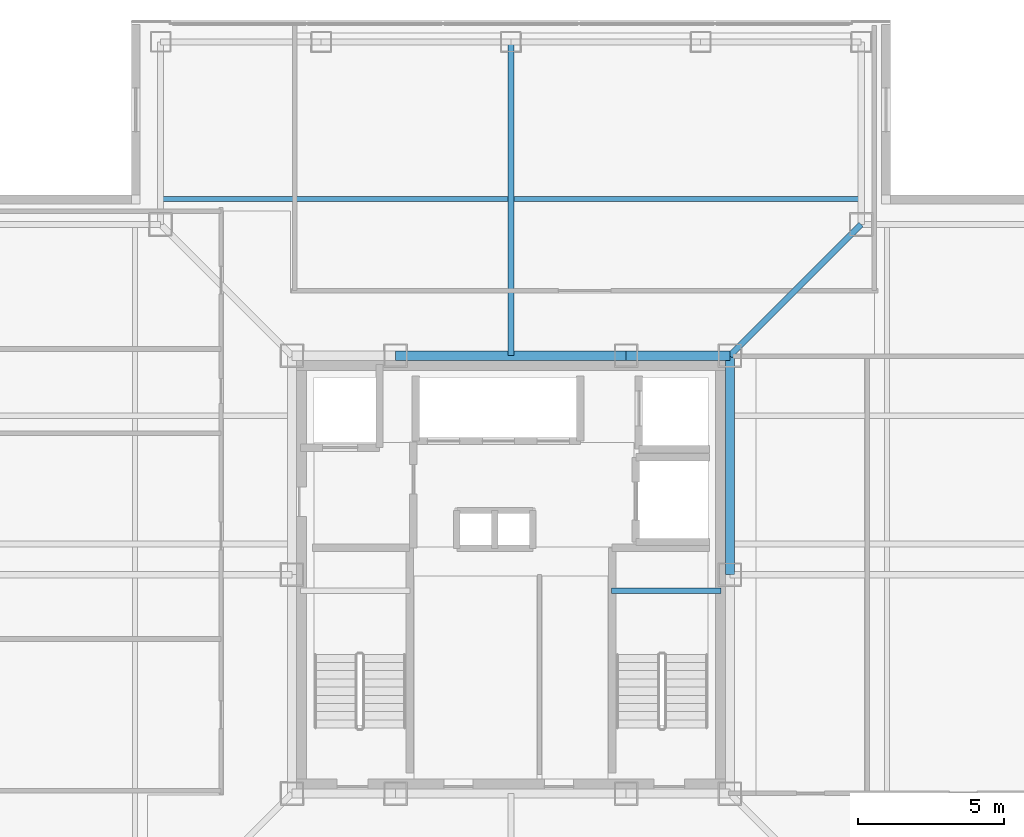
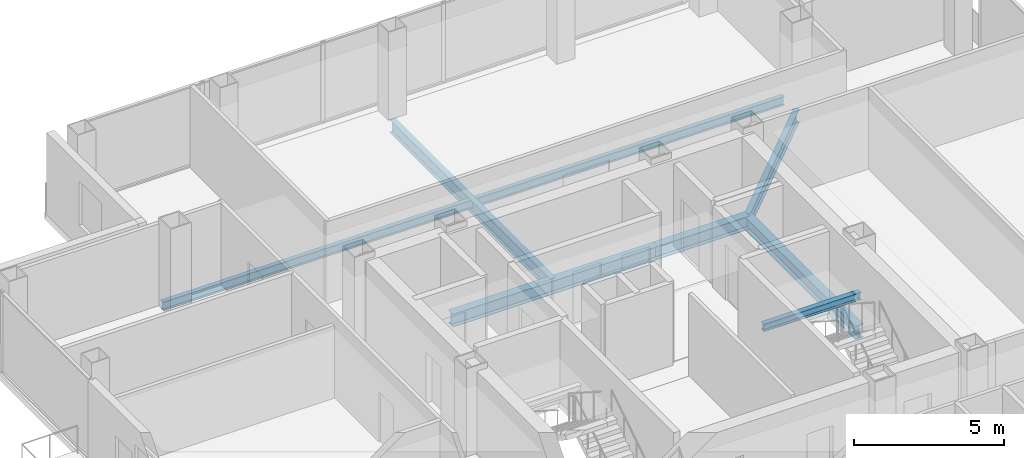
# One storey, part 5 of 13: 7 beams.
"""IFC4 building model written with IfcOpenShell, lengths in metres."""

from ifc_helpers import new_model, si_unit, direction, frame, origin, origin_2d, place, context, subcontext, project, spatial, i_section, extrude, material, material_profile, profile_set, type_object, element, save


model = new_model("IFC4")

# Units and contexts
model_context = context("Model", 3, precision=1e-05, world=origin(), true_north=direction((0.0, 1.0)))
body_context = subcontext(model_context, "Body", "Model", "MODEL_VIEW")
ifc_project = project(units=[si_unit("LENGTHUNIT", "METRE"), si_unit("AREAUNIT", "SQUARE_METRE"), si_unit("VOLUMEUNIT", "CUBIC_METRE"), si_unit("PLANEANGLEUNIT", "RADIAN"), si_unit("MASSUNIT", "GRAM", prefix="KILO")], contexts=[model_context])

# Site, building, storey
site_placement = place(None, origin())
site = spatial("IfcSite", under=ifc_project, at=site_placement, CompositionType="ELEMENT")
building_placement = place(site_placement, origin())
building = spatial("IfcBuilding", under=site, at=building_placement, Name="Trevonay Congress Spire", CompositionType="ELEMENT")
storey_placement = place(building_placement, frame((0.0, 0.0, 286.39990234375)))
storey = spatial("IfcBuildingStorey", under=building, at=storey_placement, Name="L75", CompositionType="ELEMENT", Elevation=286.39990234375)

# Beams
ifc_material = material(Name="Steel ASTM A572 Grade 50", Category="steel")
ifc_material_profile_1 = material_profile(ifc_material, i_section(OverallWidth=0.2119140625, OverallDepth=0.5439453125, WebThickness=0.01318359375, FlangeThickness=0.021240234375, FilletRadius=0.014892578125, at=origin_2d()), Name="W530x123")
ifc_profile_set_1 = profile_set([ifc_material_profile_1], Name="Steel ASTM A572 Grade 50")
beam_type_1 = type_object("IfcBeamType", Name="BM-GIRD-W530X123", PredefinedType="BEAM", material=ifc_profile_set_1)
beam_1_placement = place(storey_placement, frame((7.5, 7.5, -0.511962890625), z_axis=(0.707106781187, 0.707106781187, 0.0), x_axis=(-0.707106781187, 0.707106781187, 0.0)))
element("IfcBeam", 1, at=beam_1_placement, inside=storey, type_object=beam_type_1, Name="L75 structural beam BM-L75-CDNE", PredefinedType="BEAM", context=body_context, shape_type="SweptSolid", body=[
    extrude(i_section(OverallWidth=0.2119140625, OverallDepth=0.5439453125, WebThickness=0.01318359375, FlangeThickness=0.021240234375, FilletRadius=0.014892578125, at=origin_2d()), origin(), (0.0, 0.0, 1.0), 6.364013671875),
])
beam_2_placement = place(storey_placement, frame((0.0, 7.5, -0.511962890625), z_axis=(0.0, 1.0, 0.0), x_axis=(-1.0, 0.0, 0.0)))
element("IfcBeam", 2, at=beam_2_placement, inside=storey, type_object=beam_type_1, Name="L75 structural beam BM-L75-GC-N", PredefinedType="BEAM", context=body_context, shape_type="SweptSolid", body=[
    extrude(i_section(OverallWidth=0.2119140625, OverallDepth=0.5439453125, WebThickness=0.01318359375, FlangeThickness=0.021240234375, FilletRadius=0.014892578125, at=origin_2d()), origin(), (0.0, 0.0, 1.0), 10.75),
])
ifc_material_profile_2 = material_profile(ifc_material, i_section(OverallWidth=0.31201171875, OverallDepth=0.54296875, WebThickness=0.0126953125, FlangeThickness=0.020263671875, FilletRadius=0.014892578125, at=origin_2d()), Name="W530x150")
ifc_profile_set_2 = profile_set([ifc_material_profile_2], Name="Steel ASTM A572 Grade 50")
beam_type_2 = type_object("IfcBeamType", Name="BM-GIRD-W530X150", PredefinedType="BEAM", material=ifc_profile_set_2)
beam_3_placement = place(storey_placement, frame((-3.949951171875, 7.5, -0.511474609375), z_axis=(1.0, 0.0, 0.0), x_axis=(0.0, 1.0, 0.0)))
element("IfcBeam", 3, at=beam_3_placement, inside=storey, type_object=beam_type_2, Name="L75 structural beam BM-L75-CR-N2", PredefinedType="BEAM", context=body_context, shape_type="SweptSolid", body=[
    extrude(i_section(OverallWidth=0.31201171875, OverallDepth=0.54296875, WebThickness=0.0126953125, FlangeThickness=0.020263671875, FilletRadius=0.014892578125, at=origin_2d()), origin(), (0.0, 0.0, 1.0), 7.89990234375),
])
beam_4_placement = place(storey_placement, frame((3.949951171875, 7.5, -0.511474609375), z_axis=(1.0, 0.0, 0.0), x_axis=(0.0, 1.0, 0.0)))
element("IfcBeam", 4, at=beam_4_placement, inside=storey, type_object=beam_type_2, Name="L75 structural beam BM-L75-CR-N3", PredefinedType="BEAM", context=body_context, shape_type="SweptSolid", body=[
    extrude(i_section(OverallWidth=0.31201171875, OverallDepth=0.54296875, WebThickness=0.0126953125, FlangeThickness=0.020263671875, FilletRadius=0.014892578125, at=origin_2d()), origin(), (0.0, 0.0, 1.0), 3.550048828125),
])
beam_5_placement = place(storey_placement, frame((7.5, 0.0, -0.511474609375), z_axis=(0.0, 1.0, 0.0), x_axis=(-1.0, 0.0, 0.0)))
element("IfcBeam", 5, at=beam_5_placement, inside=storey, type_object=beam_type_2, Name="L75 structural beam BM-L75-CR-E2", PredefinedType="BEAM", context=body_context, shape_type="SweptSolid", body=[
    extrude(i_section(OverallWidth=0.31201171875, OverallDepth=0.54296875, WebThickness=0.0126953125, FlangeThickness=0.020263671875, FilletRadius=0.014892578125, at=origin_2d()), origin(), (0.0, 0.0, 1.0), 7.5),
])
ifc_material_profile_3 = material_profile(ifc_material, i_section(OverallWidth=0.172119140625, OverallDepth=0.35791015625, WebThickness=0.0078125, FlangeThickness=0.01318359375, FilletRadius=0.011962890625, at=origin_2d()), Name="W360x57.8")
ifc_profile_set_3 = profile_set([ifc_material_profile_3], Name="Steel ASTM A572 Grade 50")
beam_type_3 = type_object("IfcBeamType", Name="JS-COMP-W360X57", PredefinedType="JOIST", material=ifc_profile_set_3)
beam_6_placement = place(storey_placement, frame((-12.0, 12.875, -0.4189453125), z_axis=(1.0, 0.0, 0.0), x_axis=(0.0, 1.0, 0.0)))
element("IfcBeam", 6, at=beam_6_placement, inside=storey, type_object=beam_type_3, Name="L75 structural beam JS-L75-RING-N", PredefinedType="JOIST", context=body_context, shape_type="SweptSolid", body=[
    extrude(i_section(OverallWidth=0.172119140625, OverallDepth=0.35791015625, WebThickness=0.0078125, FlangeThickness=0.01318359375, FilletRadius=0.011962890625, at=origin_2d()), origin(), (0.0, 0.0, 1.0), 24.0),
])
ifc_material_profile_4 = material_profile(ifc_material, i_section(OverallWidth=0.2041015625, OverallDepth=0.305908203125, WebThickness=0.008544921875, FlangeThickness=0.0146484375, FilletRadius=0.010986328125, at=origin_2d()), Name="W310x67")
ifc_profile_set_4 = profile_set([ifc_material_profile_4], Name="Steel ASTM A572 Grade 50")
beam_type_4 = type_object("IfcBeamType", Name="LN-CORE-W310X67", PredefinedType="LINTEL", material=ifc_profile_set_4)
beam_7_placement = place(storey_placement, frame((3.449951171875, -0.550048828125, 1.447021484375), z_axis=(1.0, 0.0, 0.0), x_axis=(0.0, 1.0, 0.0)))
element("IfcBeam", 7, at=beam_7_placement, inside=storey, type_object=beam_type_4, Name="L75 structural beam BM-L75-HL-ST2", PredefinedType="LINTEL", context=body_context, shape_type="SweptSolid", body=[
    extrude(i_section(OverallWidth=0.2041015625, OverallDepth=0.305908203125, WebThickness=0.008544921875, FlangeThickness=0.0146484375, FilletRadius=0.010986328125, at=origin_2d()), origin(), (0.0, 0.0, 1.0), 3.75),
])

save(model, "model.ifc")
